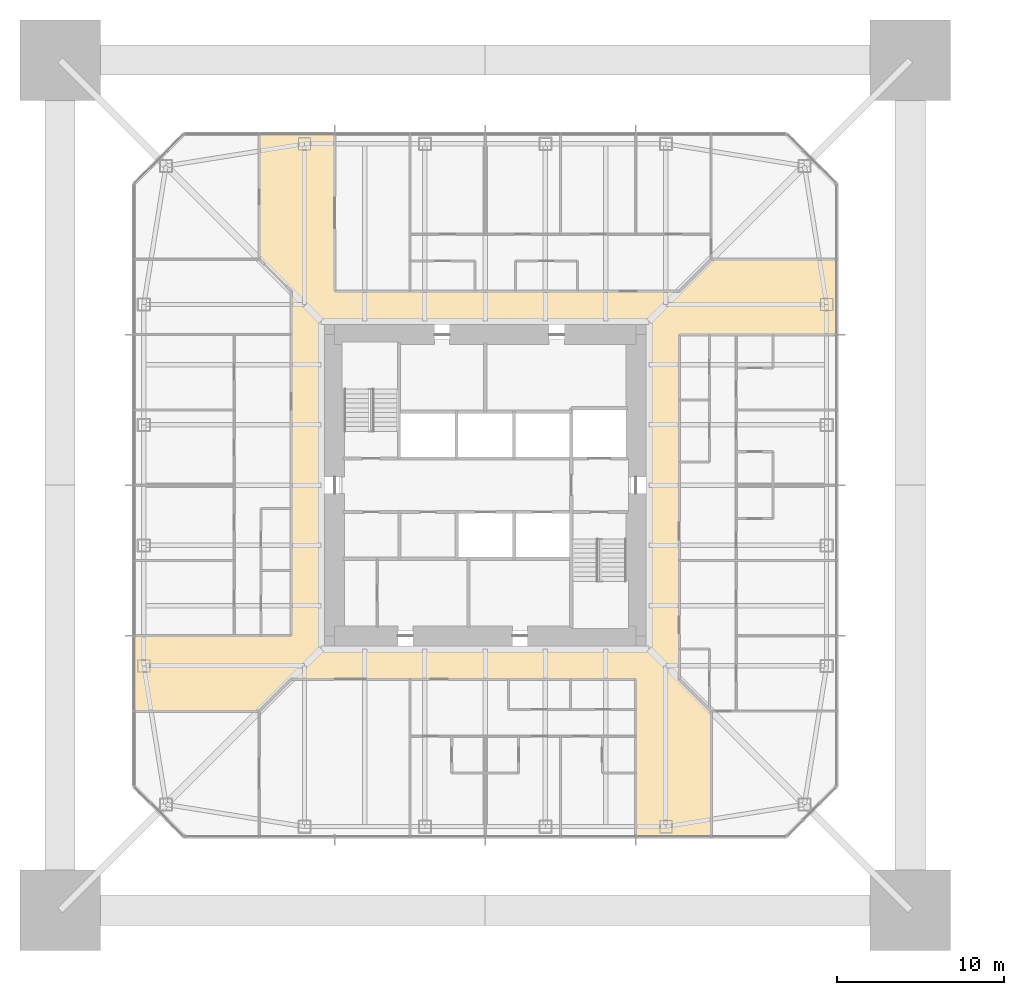
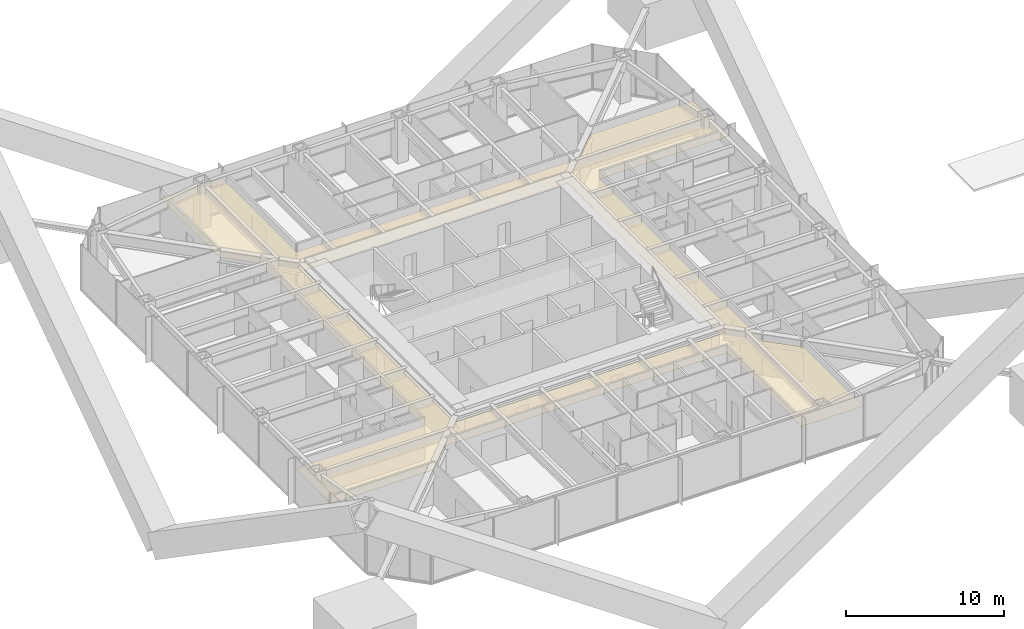
# One storey, part 15 of 17: 1 covering.
"""IFC4 building model written with IfcOpenShell, lengths in metres."""

from ifc_helpers import new_model, si_unit, direction, frame, origin, place, context, subcontext, project, spatial, polyline, outline, extrude, material, layer, layer_set, type_object, element, save


model = new_model("IFC4")

# Units and contexts
model_context = context("Model", 3, precision=1e-05, world=origin(), true_north=direction((0.0, 1.0)))
body_context = subcontext(model_context, "Body", "Model", "MODEL_VIEW")
ifc_project = project(units=[si_unit("LENGTHUNIT", "METRE"), si_unit("AREAUNIT", "SQUARE_METRE"), si_unit("VOLUMEUNIT", "CUBIC_METRE"), si_unit("PLANEANGLEUNIT", "RADIAN"), si_unit("MASSUNIT", "GRAM", prefix="KILO")], contexts=[model_context])

# Site, building, storey
site_placement = place(None, origin())
site = spatial("IfcSite", under=ifc_project, at=site_placement, CompositionType="ELEMENT")
building_placement = place(site_placement, origin())
building = spatial("IfcBuilding", under=site, at=building_placement, Name="Iwan Alto Co-Living Towers", CompositionType="ELEMENT")
storey_placement = place(building_placement, frame((0.0, 0.0, 133.0)))
storey = spatial("IfcBuildingStorey", under=building, at=storey_placement, Name="L36", CompositionType="ELEMENT", Elevation=133.0)

# Covering
ifc_material = material(Name="Gypsum plasterboard on steel grid", Category="steel")
ifc_layer = layer(ifc_material, 0.014892578125)
ifc_layer_set = layer_set([ifc_layer], Name="SUSPENDED PLASTERBOARD CEILING 15")
covering_type = type_object("IfcCoveringType", Name="SUSPENDED PLASTERBOARD CEILING 15", PredefinedType="CEILING", material=ifc_layer_set)
covering_placement = place(storey_placement, frame((0.0, 0.0, 2.60009765625)))
element("IfcCovering", 1, at=covering_placement, inside=storey, type_object=covering_type, Name="Ceiling Corridor L36", PredefinedType="CEILING", context=body_context, shape_type="SweptSolid", body=[
    extrude(outline(polyline([(13.5, -21.0), (9.0, -21.0), (9.0, -11.60009765625), (-11.60009765625, -11.60009765625), (-13.5, -13.5), (-21.0, -13.5), (-21.0, -9.0), (-11.60009765625, -9.0), (-11.60009765625, 11.60009765625), (-13.5, 13.5), (-13.5, 21.0), (-9.0, 21.0), (-9.0, 11.60009765625), (11.60009765625, 11.60009765625), (13.5, 13.5), (21.0, 13.5), (21.0, 9.0), (11.60009765625, 9.0), (11.60009765625, -11.60009765625), (13.5, -13.5), (13.5, -21.0)]), holes=[polyline([(9.60009765625, -9.60009765625), (9.60009765625, 9.60009765625), (-9.60009765625, 9.60009765625), (-9.60009765625, -9.60009765625), (9.60009765625, -9.60009765625)])]), origin(), (0.0, 0.0, 1.0), 0.014892578125),
])

save(model, "model.ifc")
